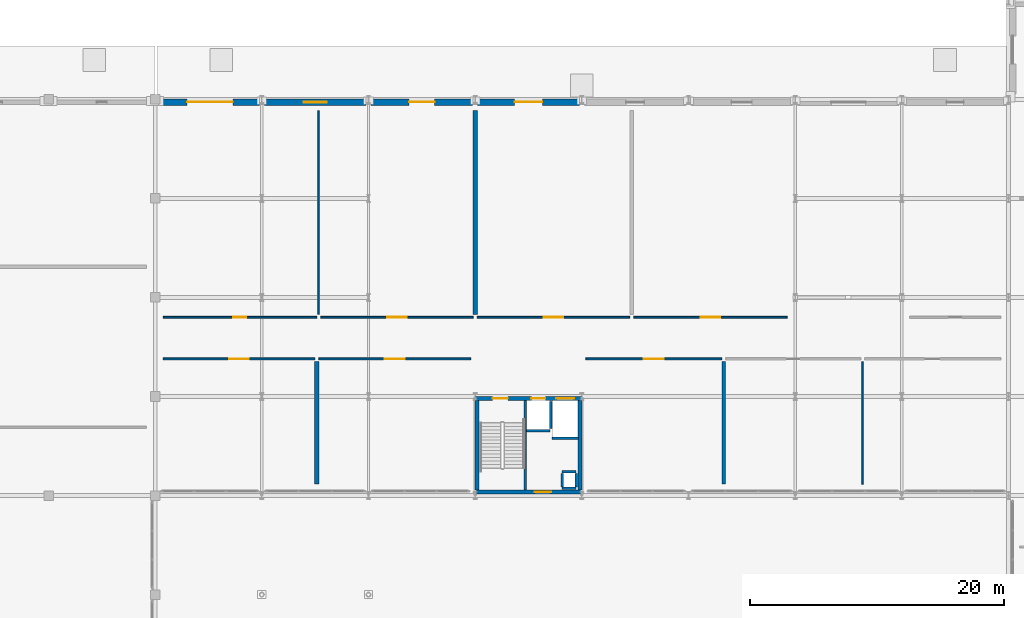
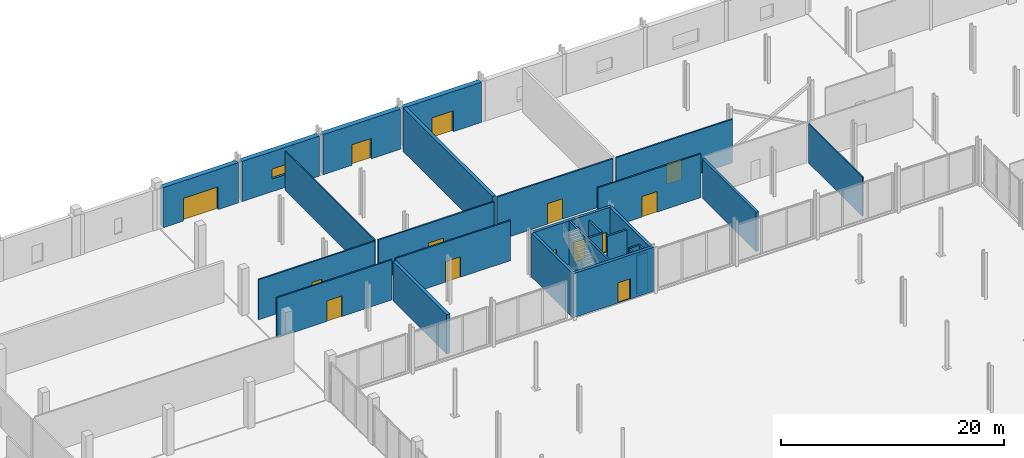
# One storey, part 52 of 80: 28 walls, 14 doors, 1 window, 15 openings.
"""IFC4 building model written with IfcOpenShell, lengths in metres."""

from ifc_helpers import new_model, si_unit, direction, frame, frame_2d, origin, place, context, subcontext, project, spatial, rectangle, extrude, material, layer, layer_set, type_object, element, fill, save


model = new_model("IFC4")

# Units and contexts
model_context = context("Model", 3, precision=1e-05, world=origin(), true_north=direction((0.0, 1.0)))
body_context = subcontext(model_context, "Body", "Model", "MODEL_VIEW")
ifc_project = project(units=[si_unit("LENGTHUNIT", "METRE"), si_unit("AREAUNIT", "SQUARE_METRE"), si_unit("VOLUMEUNIT", "CUBIC_METRE"), si_unit("PLANEANGLEUNIT", "RADIAN"), si_unit("MASSUNIT", "GRAM", prefix="KILO")], contexts=[model_context])

# Site, building, storey
site_placement = place(None, origin())
site = spatial("IfcSite", under=ifc_project, at=site_placement, CompositionType="ELEMENT")
building_placement = place(site_placement, origin())
building = spatial("IfcBuilding", under=site, at=building_placement, Name="Nabrawat Pavilion Hospital", CompositionType="ELEMENT")
storey_placement = place(building_placement, origin())
storey = spatial("IfcBuildingStorey", under=building, at=storey_placement, Name="L00", CompositionType="ELEMENT", Elevation=0.0)

# Wall, opening, door
ifc_material_1 = material(Name="Gypsum Fireboard on Steel Stud", Category="steel")
ifc_layer_1 = layer(ifc_material_1, 0.14990234375, Name="Gypsum Fireboard on Steel Stud")
ifc_layer_set_1 = layer_set([ifc_layer_1], Name="Gypsum Fireboard on Steel Stud")
wall_type_1 = type_object("IfcWallType", Name="Clinical Corridor Smoke-Barrier Wall 150", PredefinedType="PARTITIONING", material=ifc_layer_set_1)
wall_1_placement = place(storey_placement, frame((59.419921875, 96.56005859375, 0.0), z_axis=(0.0, 0.0, 1.0), x_axis=(1.0, 0.0, 0.0)))
wall_1 = element("IfcWall", 1, at=wall_1_placement, inside=storey, type_object=wall_type_1, Name="L00 Diagnostic Imaging 3T MRI Scanner Suite L00-01 Front Partition", PredefinedType="PARTITIONING", context=body_context, shape_type="SweptSolid", body=[
    extrude(rectangle(XDim=11.955078125, YDim=0.14990234375, at=frame_2d((5.9775390625, 0.0))), origin(), (0.0, 0.0, 1.0), 4.39990234375),
])
opening_1_placement = place(wall_1_placement, frame((5.202392578125, 0.0, 0.0)))
opening_1 = element("IfcOpeningElement", 2, at=opening_1_placement, cuts=wall_1, Name="Opening D-IMG", PredefinedType="OPENING", context=body_context, shape_type="SweptSolid", body=[
    extrude(rectangle(XDim=1.550048828125, YDim=2.25, at=frame_2d((0.77490234375, 1.125))), frame((0.0, 0.0849609375, 0.0), z_axis=(0.0, -1.0, 0.0), x_axis=(1.0, 0.0, 0.0)), (0.0, 0.0, 1.0), 0.169921875),
])
ifc_material_2 = material(Name="Stainless-Clad Acoustic Timber and Vision Glass", Category="wood")
door_type_1 = type_object("IfcDoorType", Name="Lead-Lined Radiology Shielded Door 1550x2250", OperationType="NOTDEFINED", PredefinedType="DOOR", material=ifc_material_2)
door_1_placement = place(opening_1_placement, origin())
door_1 = element("IfcDoor", 3, at=door_1_placement, inside=storey, type_object=door_type_1, Name="Diagnostic Imaging 3T MRI Scanner Suite L00-01 Door", OperationType="SINGLE_SWING_RIGHT", OverallHeight=2.25, OverallWidth=1.550048828125, PredefinedType="DOOR", context=body_context, shape_type="SweptSolid", body=[
    extrude(rectangle(XDim=1.550048828125, YDim=2.25, at=frame_2d((0.77490234375, 1.125))), frame((0.0, 0.02490234375, 0.0), z_axis=(0.0, -1.0, 0.0), x_axis=(1.0, 0.0, 0.0)), (0.0, 0.0, 1.0), 0.050048828125),
])
fill(opening_1, door_1)

wall_2_placement = place(storey_placement, frame((71.695068359375, 96.56005859375, 0.0), z_axis=(0.0, 0.0, 1.0), x_axis=(1.0, 0.0, 0.0)))
wall_2 = element("IfcWall", 4, at=wall_2_placement, inside=storey, type_object=wall_type_1, Name="L00 Diagnostic Imaging Dual-Source CT Room L00-02 Front Partition", PredefinedType="PARTITIONING", context=body_context, shape_type="SweptSolid", body=[
    extrude(rectangle(XDim=11.954833984375, YDim=0.14990234375, at=frame_2d((5.9775390625, 0.0))), origin(), (0.0, 0.0, 1.0), 4.39990234375),
])
opening_2_placement = place(wall_2_placement, frame((5.202392578125, 0.0, 0.0)))
opening_2 = element("IfcOpeningElement", 5, at=opening_2_placement, cuts=wall_2, Name="Opening D-IMG", PredefinedType="OPENING", context=body_context, shape_type="SweptSolid", body=[
    extrude(rectangle(XDim=1.550048828125, YDim=2.25, at=frame_2d((0.77490234375, 1.125))), frame((0.0, 0.0849609375, 0.0), z_axis=(0.0, -1.0, 0.0), x_axis=(1.0, 0.0, 0.0)), (0.0, 0.0, 1.0), 0.169921875),
])
door_2_placement = place(opening_2_placement, origin())
door_2 = element("IfcDoor", 6, at=door_2_placement, inside=storey, type_object=door_type_1, Name="Diagnostic Imaging Dual-Source CT Room L00-02 Door", OperationType="SINGLE_SWING_LEFT", OverallHeight=2.25, OverallWidth=1.550048828125, PredefinedType="DOOR", context=body_context, shape_type="SweptSolid", body=[
    extrude(rectangle(XDim=1.550048828125, YDim=2.25, at=frame_2d((0.77490234375, 1.125))), frame((0.0, 0.02490234375, 0.0), z_axis=(0.0, -1.0, 0.0), x_axis=(1.0, 0.0, 0.0)), (0.0, 0.0, 1.0), 0.050048828125),
])
fill(opening_2, door_2)

wall_3_placement = place(storey_placement, frame((92.719970703125, 96.56005859375, 0.0), z_axis=(0.0, 0.0, 1.0), x_axis=(1.0, 0.0, 0.0)))
wall_3 = element("IfcWall", 7, at=wall_3_placement, inside=storey, type_object=wall_type_1, Name="L00 Diagnostic Imaging PET-CT Nuclear Medicine Room L00-03 Front Partition", PredefinedType="PARTITIONING", context=body_context, shape_type="SweptSolid", body=[
    extrude(rectangle(XDim=10.699951171875, YDim=0.14990234375, at=frame_2d((5.35009765625, 0.0))), origin(), (0.0, 0.0, 1.0), 4.800048828125),
])
opening_3_placement = place(wall_3_placement, frame((4.574951171875, 0.0, 0.0)))
opening_3 = element("IfcOpeningElement", 8, at=opening_3_placement, cuts=wall_3, Name="Opening D-IMG", PredefinedType="OPENING", context=body_context, shape_type="SweptSolid", body=[
    extrude(rectangle(XDim=1.550048828125, YDim=2.25, at=frame_2d((0.77490234375, 1.125))), frame((0.0, 0.0849609375, 0.0), z_axis=(0.0, -1.0, 0.0), x_axis=(1.0, 0.0, 0.0)), (0.0, 0.0, 1.0), 0.169921875),
])
door_3_placement = place(opening_3_placement, origin())
door_3 = element("IfcDoor", 9, at=door_3_placement, inside=storey, type_object=door_type_1, Name="Diagnostic Imaging PET-CT Nuclear Medicine Room L00-03 Door", OperationType="SINGLE_SWING_RIGHT", OverallHeight=2.25, OverallWidth=1.550048828125, PredefinedType="DOOR", context=body_context, shape_type="SweptSolid", body=[
    extrude(rectangle(XDim=1.550048828125, YDim=2.25, at=frame_2d((0.77490234375, 1.125))), frame((0.0, 0.02490234375, 0.0), z_axis=(0.0, -1.0, 0.0), x_axis=(1.0, 0.0, 0.0)), (0.0, 0.0, 1.0), 0.050048828125),
])
fill(opening_3, door_3)

wall_4_placement = place(storey_placement, frame((59.419921875, 99.840087890625, 0.0), z_axis=(0.0, 0.0, 1.0), x_axis=(1.0, 0.0, 0.0)))
wall_4 = element("IfcWall", 10, at=wall_4_placement, inside=storey, type_object=wall_type_1, Name="L00 Bereavement Viewing and Cold Suite L00-06 Front Partition", PredefinedType="PARTITIONING", context=body_context, shape_type="SweptSolid", body=[
    extrude(rectangle(XDim=12.090087890625, YDim=0.14990234375, at=frame_2d((6.044921875, 0.0))), origin(), (0.0, 0.0, 1.0), 4.39990234375),
])
opening_4_placement = place(wall_4_placement, frame((5.52001953125, 0.0, 0.0)))
opening_4 = element("IfcOpeningElement", 11, at=opening_4_placement, cuts=wall_4, Name="Opening D-OPC-R", PredefinedType="OPENING", context=body_context, shape_type="SweptSolid", body=[
    extrude(rectangle(XDim=1.050048828125, YDim=2.14990234375, at=frame_2d((0.52490234375, 1.074951171875))), frame((0.0, 0.0849609375, 0.0), z_axis=(0.0, -1.0, 0.0), x_axis=(1.0, 0.0, 0.0)), (0.0, 0.0, 1.0), 0.169921875),
])
door_type_2 = type_object("IfcDoorType", Name="Outpatient Clinic Consultation Door R 1050x2150", OperationType="NOTDEFINED", PredefinedType="DOOR", material=ifc_material_2)
door_4_placement = place(opening_4_placement, origin())
door_4 = element("IfcDoor", 12, at=door_4_placement, inside=storey, type_object=door_type_2, Name="Bereavement Viewing and Cold Suite L00-06 Door", OperationType="SINGLE_SWING_LEFT", OverallHeight=2.14990234375, OverallWidth=1.050048828125, PredefinedType="DOOR", context=body_context, shape_type="SweptSolid", body=[
    extrude(rectangle(XDim=1.050048828125, YDim=2.14990234375, at=frame_2d((0.52490234375, 1.074951171875))), frame((0.0, 0.02490234375, 0.0), z_axis=(0.0, -1.0, 0.0), x_axis=(1.0, 0.0, 0.0)), (0.0, 0.0, 1.0), 0.050048828125),
])
fill(opening_4, door_4)

wall_5_placement = place(storey_placement, frame((71.830078125, 99.840087890625, 0.0), z_axis=(0.0, 0.0, 1.0), x_axis=(1.0, 0.0, 0.0)))
wall_5 = element("IfcWall", 13, at=wall_5_placement, inside=storey, type_object=wall_type_1, Name="L00 Diagnostic Imaging 3T MRI Scanner Suite L00-07 Front Partition", PredefinedType="PARTITIONING", context=body_context, shape_type="SweptSolid", body=[
    extrude(rectangle(XDim=12.010009765625, YDim=0.14990234375, at=frame_2d((6.0048828125, 0.0))), origin(), (0.0, 0.0, 1.0), 4.39990234375),
])
opening_5_placement = place(wall_5_placement, frame((5.22998046875, 0.0, 0.0)))
opening_5 = element("IfcOpeningElement", 14, at=opening_5_placement, cuts=wall_5, Name="Opening D-IMG", PredefinedType="OPENING", context=body_context, shape_type="SweptSolid", body=[
    extrude(rectangle(XDim=1.550048828125, YDim=2.25, at=frame_2d((0.77490234375, 1.125))), frame((0.0, 0.0849609375, 0.0), z_axis=(0.0, -1.0, 0.0), x_axis=(1.0, 0.0, 0.0)), (0.0, 0.0, 1.0), 0.169921875),
])
door_5_placement = place(opening_5_placement, origin())
door_5 = element("IfcDoor", 15, at=door_5_placement, inside=storey, type_object=door_type_1, Name="Diagnostic Imaging 3T MRI Scanner Suite L00-07 Door", OperationType="SINGLE_SWING_RIGHT", OverallHeight=2.25, OverallWidth=1.550048828125, PredefinedType="DOOR", context=body_context, shape_type="SweptSolid", body=[
    extrude(rectangle(XDim=1.550048828125, YDim=2.25, at=frame_2d((0.77490234375, 1.125))), frame((0.0, 0.02490234375, 0.0), z_axis=(0.0, -1.0, 0.0), x_axis=(1.0, 0.0, 0.0)), (0.0, 0.0, 1.0), 0.050048828125),
])
fill(opening_5, door_5)

wall_6_placement = place(storey_placement, frame((84.159912109375, 99.840087890625, 0.0), z_axis=(0.0, 0.0, 1.0), x_axis=(1.0, 0.0, 0.0)))
wall_6 = element("IfcWall", 16, at=wall_6_placement, inside=storey, type_object=wall_type_1, Name="L00 Diagnostic Imaging Dual-Source CT Room L00-08 Front Partition", PredefinedType="PARTITIONING", context=body_context, shape_type="SweptSolid", body=[
    extrude(rectangle(XDim=12.010009765625, YDim=0.14990234375, at=frame_2d((6.0048828125, 0.0))), origin(), (0.0, 0.0, 1.0), 4.800048828125),
])
opening_6_placement = place(wall_6_placement, frame((5.22998046875, 0.0, 0.0)))
opening_6 = element("IfcOpeningElement", 17, at=opening_6_placement, cuts=wall_6, Name="Opening D-IMG", PredefinedType="OPENING", context=body_context, shape_type="SweptSolid", body=[
    extrude(rectangle(XDim=1.550048828125, YDim=2.25, at=frame_2d((0.77490234375, 1.125))), frame((0.0, 0.0849609375, 0.0), z_axis=(0.0, -1.0, 0.0), x_axis=(1.0, 0.0, 0.0)), (0.0, 0.0, 1.0), 0.169921875),
])
door_6_placement = place(opening_6_placement, origin())
door_6 = element("IfcDoor", 18, at=door_6_placement, inside=storey, type_object=door_type_1, Name="Diagnostic Imaging Dual-Source CT Room L00-08 Door", OperationType="SINGLE_SWING_LEFT", OverallHeight=2.25, OverallWidth=1.550048828125, PredefinedType="DOOR", context=body_context, shape_type="SweptSolid", body=[
    extrude(rectangle(XDim=1.550048828125, YDim=2.25, at=frame_2d((0.77490234375, 1.125))), frame((0.0, 0.02490234375, 0.0), z_axis=(0.0, -1.0, 0.0), x_axis=(1.0, 0.0, 0.0)), (0.0, 0.0, 1.0), 0.050048828125),
])
fill(opening_6, door_6)

wall_7_placement = place(storey_placement, frame((96.489990234375, 99.840087890625, 0.0), z_axis=(0.0, 0.0, 1.0), x_axis=(1.0, 0.0, 0.0)))
wall_7 = element("IfcWall", 19, at=wall_7_placement, inside=storey, type_object=wall_type_1, Name="L00 Diagnostic Imaging PET-CT Nuclear Medicine Room L00-09 Front Partition", PredefinedType="PARTITIONING", context=body_context, shape_type="SweptSolid", body=[
    extrude(rectangle(XDim=12.090087890625, YDim=0.14990234375, at=frame_2d((6.044921875, 0.0))), origin(), (0.0, 0.0, 1.0), 4.800048828125),
])
opening_7_placement = place(wall_7_placement, frame((5.27001953125, 0.0, 0.0)))
opening_7 = element("IfcOpeningElement", 20, at=opening_7_placement, cuts=wall_7, Name="Opening D-IMG", PredefinedType="OPENING", context=body_context, shape_type="SweptSolid", body=[
    extrude(rectangle(XDim=1.550048828125, YDim=2.25, at=frame_2d((0.77490234375, 1.125))), frame((0.0, 0.0849609375, 0.0), z_axis=(0.0, -1.0, 0.0), x_axis=(1.0, 0.0, 0.0)), (0.0, 0.0, 1.0), 0.169921875),
])
door_7_placement = place(opening_7_placement, origin())
door_7 = element("IfcDoor", 21, at=door_7_placement, inside=storey, type_object=door_type_1, Name="Diagnostic Imaging PET-CT Nuclear Medicine Room L00-09 Door", OperationType="SINGLE_SWING_RIGHT", OverallHeight=2.25, OverallWidth=1.550048828125, PredefinedType="DOOR", context=body_context, shape_type="SweptSolid", body=[
    extrude(rectangle(XDim=1.550048828125, YDim=2.25, at=frame_2d((0.77490234375, 1.125))), frame((0.0, 0.02490234375, 0.0), z_axis=(0.0, -1.0, 0.0), x_axis=(1.0, 0.0, 0.0)), (0.0, 0.0, 1.0), 0.050048828125),
])
fill(opening_7, door_7)

# Walls
ifc_material_3 = material(Name="Barium Concrete Block", Category="concrete")
ifc_layer_2 = layer(ifc_material_3, 0.260009765625, Name="Barium Concrete Block")
ifc_layer_set_2 = layer_set([ifc_layer_2], Name="Barium Concrete Block")
wall_type_2 = type_object("IfcWallType", Name="Diagnostic X-Ray Barium-Plaster Wall 260", PredefinedType="PARTITIONING", material=ifc_layer_set_2)
wall_8_placement = place(storey_placement, frame((103.580078125, 86.68994140625, 0.0), z_axis=(0.0, 0.0, 1.0), x_axis=(0.0, 1.0, 0.0)))
element("IfcWall", 22, at=wall_8_placement, inside=storey, type_object=wall_type_2, Name="L00 Diagnostic Imaging PET-CT Nuclear Medicine Room L00-03 Dividing Partition", PredefinedType="PARTITIONING", context=body_context, shape_type="SweptSolid", body=[
    extrude(rectangle(XDim=9.650146484375, YDim=0.260009765625, at=frame_2d((4.8251953125, 0.0))), origin(), (0.0, 0.0, 1.0), 4.31005859375),
])
ifc_material_4 = material(Name="Concrete C35/45", Category="concrete")
ifc_layer_3 = layer(ifc_material_4, 0.199951171875, Name="Concrete C35/45")
ifc_layer_set_3 = layer_set([ifc_layer_3], Name="Concrete C35/45")
wall_type_3 = type_object("IfcWallType", Name="Lift and Riser Fire Shaft Wall 200", PredefinedType="PARTITIONING", material=ifc_layer_set_3)
wall_9_placement = place(storey_placement, frame((87.949951171875, 86.239990234375, 0.0), z_axis=(0.0, 0.0, 1.0), x_axis=(0.0, 1.0, 0.0)))
element("IfcWall", 23, at=wall_9_placement, inside=storey, type_object=wall_type_3, Name="L00 CORE-3 Stair-Lift Dividing Shear Wall", PredefinedType="SHEAR", context=body_context, shape_type="SweptSolid", body=[
    extrude(rectangle(XDim=7.0400390625, YDim=0.199951171875, at=frame_2d((3.52001953125, 0.0))), origin(), (0.0, 0.0, 1.0), 4.820068359375),
])
for number, where, z_axis, x_axis, name in (
    (24, (90.85009765625, 86.3701171875, 0.0), (0.0, 0.0, 1.0), (1.0, 0.0, 0.0), "L00 CORE-3 MEP Riser Shaft Wall S"),
    (25, (90.85009765625, 87.669921875, 0.0), (0.0, 0.0, 1.0), (1.0, 0.0, 0.0), "L00 CORE-3 MEP Riser Shaft Wall N"),
):
    element("IfcWall", number, at=place(storey_placement, frame(where, z_axis=z_axis, x_axis=x_axis)), inside=storey, type_object=wall_type_3, Name=name, PredefinedType="PARTITIONING", context=body_context, shape_type="SweptSolid", body=[
        extrude(rectangle(XDim=1.099853515625, YDim=0.199951171875, at=frame_2d((0.5498046875, 0.0))), origin(), (0.0, 0.0, 1.0), 4.2099609375),
    ])
for number, where, z_axis, x_axis, name in (
    (26, (90.85009765625, 86.489990234375, 0.0), (0.0, 0.0, 1.0), (0.0, 1.0, 0.0), "L00 CORE-3 MEP Riser Shaft Wall W"),
    (27, (91.949951171875, 86.489990234375, 0.0), (0.0, 0.0, 1.0), (0.0, 1.0, 0.0), "L00 CORE-3 MEP Riser Shaft Wall E"),
):
    element("IfcWall", number, at=place(storey_placement, frame(where, z_axis=z_axis, x_axis=x_axis)), inside=storey, type_object=wall_type_3, Name=name, PredefinedType="PARTITIONING", context=body_context, shape_type="SweptSolid", body=[
        extrude(rectangle(XDim=1.06005859375, YDim=0.199951171875, at=frame_2d((0.530029296875, 0.0))), origin(), (0.0, 0.0, 1.0), 4.2099609375),
    ])
wall_10_placement = place(storey_placement, frame((89.93994140625, 91.080078125, 0.0), z_axis=(0.0, 0.0, 1.0), x_axis=(0.0, 1.0, 0.0)))
element("IfcWall", 28, at=wall_10_placement, inside=storey, type_object=wall_type_3, Name="L00 Lift LP-02 Shaft East Wall", PredefinedType="PARTITIONING", context=body_context, shape_type="SweptSolid", body=[
    extrude(rectangle(XDim=2.139892578125, YDim=0.199951171875, at=frame_2d((1.06982421875, 0.0))), origin(), (0.0, 0.0, 1.0), 4.2099609375),
])
wall_11_placement = place(storey_placement, frame((88.050048828125, 90.919921875, 0.0), z_axis=(0.0, 0.0, 1.0), x_axis=(1.0, 0.0, 0.0)))
element("IfcWall", 29, at=wall_11_placement, inside=storey, type_object=wall_type_3, Name="L00 Lift LP-02 Shaft Back Wall", PredefinedType="PARTITIONING", context=body_context, shape_type="SweptSolid", body=[
    extrude(rectangle(XDim=1.85986328125, YDim=0.199951171875, at=frame_2d((0.929931640625, 0.0))), origin(), (0.0, 0.0, 1.0), 4.2099609375),
])
wall_12_placement = place(storey_placement, frame((90.070068359375, 90.320068359375, 0.0), z_axis=(0.0, 0.0, 1.0), x_axis=(1.0, 0.0, 0.0)))
element("IfcWall", 30, at=wall_12_placement, inside=storey, type_object=wall_type_3, Name="L00 Lift LB-02 Shaft Back Wall", PredefinedType="PARTITIONING", context=body_context, shape_type="SweptSolid", body=[
    extrude(rectangle(XDim=2.059814453125, YDim=0.199951171875, at=frame_2d((1.02978515625, 0.0))), origin(), (0.0, 0.0, 1.0), 4.2099609375),
])
ifc_material_5 = material(Name="Acoustic Concrete Block", Category="concrete")
ifc_layer_4 = layer(ifc_material_5, 0.340087890625, Name="Acoustic Concrete Block")
ifc_layer_set_4 = layer_set([ifc_layer_4], Name="Acoustic Concrete Block")
wall_type_4 = type_object("IfcWallType", Name="MRI RF-Faraday Acoustic Enclosure Wall 340", PredefinedType="PARTITIONING", material=ifc_layer_set_4)
wall_13_placement = place(storey_placement, frame((71.534912109375, 86.68994140625, 0.0), z_axis=(0.0, 0.0, 1.0), x_axis=(0.0, 1.0, 0.0)))
element("IfcWall", 31, at=wall_13_placement, inside=storey, type_object=wall_type_4, Name="L00 Diagnostic Imaging 3T MRI Scanner Suite L00-01 Dividing Partition", PredefinedType="PARTITIONING", context=body_context, shape_type="SweptSolid", body=[
    extrude(rectangle(XDim=9.650146484375, YDim=0.340087890625, at=frame_2d((4.8251953125, 0.0))), origin(), (0.0, 0.0, 1.0), 4.31005859375),
])
wall_14_placement = place(storey_placement, frame((84.0, 100.06005859375, 0.0), z_axis=(0.0, 0.0, 1.0), x_axis=(0.0, 1.0, 0.0)))
element("IfcWall", 32, at=wall_14_placement, inside=storey, type_object=wall_type_4, Name="L00 Diagnostic Imaging 3T MRI Scanner Suite L00-07 Dividing Partition", PredefinedType="PARTITIONING", context=body_context, shape_type="SweptSolid", body=[
    extrude(rectangle(XDim=16.050048828125, YDim=0.340087890625, at=frame_2d((8.02490234375, 0.0))), origin(), (0.0, 0.0, 1.0), 4.800048828125),
])
ifc_material_6 = material(Name="Gypsum Plasterboard on Stud", Category="gypsum")
ifc_layer_5 = layer(ifc_material_6, 0.1201171875, Name="Gypsum Plasterboard on Stud")
ifc_layer_set_5 = layer_set([ifc_layer_5], Name="Gypsum Plasterboard on Stud")
wall_type_5 = type_object("IfcWallType", Name="Outpatient Consultation Partition 120", PredefinedType="PARTITIONING", material=ifc_layer_set_5)
wall_15_placement = place(storey_placement, frame((114.52001953125, 86.68994140625, 0.0), z_axis=(0.0, 0.0, 1.0), x_axis=(0.0, 1.0, 0.0)))
element("IfcWall", 33, at=wall_15_placement, inside=storey, type_object=wall_type_5, Name="L00 Radiology Reporting Control Room L00-04 Dividing Partition", PredefinedType="PARTITIONING", context=body_context, shape_type="SweptSolid", body=[
    extrude(rectangle(XDim=9.650146484375, YDim=0.1201171875, at=frame_2d((4.8251953125, 0.0))), origin(), (0.0, 0.0, 1.0), 4.31005859375),
])
wall_16_placement = place(storey_placement, frame((71.669921875, 100.06005859375, 0.0), z_axis=(0.0, 0.0, 1.0), x_axis=(0.0, 1.0, 0.0)))
element("IfcWall", 34, at=wall_16_placement, inside=storey, type_object=wall_type_5, Name="L00 Bereavement Viewing and Cold Suite L00-06 Dividing Partition", PredefinedType="PARTITIONING", context=body_context, shape_type="SweptSolid", body=[
    extrude(rectangle(XDim=16.050048828125, YDim=0.1201171875, at=frame_2d((8.02490234375, 0.0))), origin(), (0.0, 0.0, 1.0), 4.31005859375),
])

# Wall, opening, door
ifc_material_7 = material(Name="Precast concrete C40/50", Category="concrete")
ifc_layer_6 = layer(ifc_material_7, 0.5, Name="Precast concrete C40/50")
ifc_layer_set_6 = layer_set([ifc_layer_6], Name="Precast concrete C40/50")
wall_type_6 = type_object("IfcWallType", Name="Radiation Bunker Exterior Wall 500", PredefinedType="SOLIDWALL", material=ifc_layer_set_6)
wall_17_placement = place(storey_placement, frame((59.22509765625, 116.780029296875, 0.0), z_axis=(0.0, 0.0, 1.0), x_axis=(1.0, 0.0, 0.0)))
wall_17 = element("IfcWall", 35, at=wall_17_placement, inside=storey, type_object=wall_type_6, Name="L00 Radiation Bunker Exterior Wall 500 126", PredefinedType="SOLIDWALL", context=body_context, shape_type="SweptSolid", body=[
    extrude(rectangle(XDim=7.77490234375, YDim=0.5, at=frame_2d((3.887451171875, 0.0))), origin(), (0.0, 0.0, 1.0), 4.39990234375),
])
opening_8_placement = place(wall_17_placement, frame((2.08740234375, 0.0, 0.0)))
opening_8 = element("IfcOpeningElement", 36, at=opening_8_placement, cuts=wall_17, Name="Opening VG-SVC-360", PredefinedType="OPENING", context=body_context, shape_type="SweptSolid", body=[
    extrude(rectangle(XDim=3.60009765625, YDim=2.5, at=frame_2d((1.800048828125, 1.25))), frame((0.0, 0.260009765625, 0.0), z_axis=(0.0, -1.0, 0.0), x_axis=(1.0, 0.0, 0.0)), (0.0, 0.0, 1.0), 0.52001953125),
])
ifc_material_8 = material(Name="Powder-Coated Galvanised Steel and Safety Glass", Category="steel")
door_type_3 = type_object("IfcDoorType", Name="Service Yard Security Gate 3600x2500", OperationType="NOTDEFINED", PredefinedType="GATE", material=ifc_material_8)
door_8_placement = place(opening_8_placement, origin())
door_8 = element("IfcDoor", 37, at=door_8_placement, inside=storey, type_object=door_type_3, Name="L00 Perimeter Final Exit Door 15", OperationType="DOUBLE_SWING_LEFT", OverallHeight=2.5, OverallWidth=3.60009765625, PredefinedType="GATE", context=body_context, shape_type="SweptSolid", body=[
    extrude(rectangle(XDim=3.60009765625, YDim=2.5, at=frame_2d((1.800048828125, 1.25))), frame((0.0, 0.02490234375, 0.0), z_axis=(0.0, -1.0, 0.0), x_axis=(1.0, 0.0, 0.0)), (0.0, 0.0, 1.0), 0.050048828125),
])
fill(opening_8, door_8)

# Wall, opening, window
wall_18_placement = place(storey_placement, frame((67.39990234375, 116.780029296875, 0.0), z_axis=(0.0, 0.0, 1.0), x_axis=(1.0, 0.0, 0.0)))
wall_18 = element("IfcWall", 38, at=wall_18_placement, inside=storey, type_object=wall_type_6, Name="L00 Radiation Bunker Exterior Wall 500 127", PredefinedType="SOLIDWALL", context=body_context, shape_type="SweptSolid", body=[
    extrude(rectangle(XDim=8.0, YDim=0.5, at=frame_2d((4.0, 0.0))), origin(), (0.0, 0.0, 1.0), 4.39990234375),
])
opening_9_placement = place(wall_18_placement, frame((3.10009765625, 0.0, 1.39990234375)))
opening_9 = element("IfcOpeningElement", 39, at=opening_9_placement, cuts=wall_18, Name="Opening WN-06", PredefinedType="OPENING", context=body_context, shape_type="SweptSolid", body=[
    extrude(rectangle(XDim=1.800048828125, YDim=1.10009765625, at=frame_2d((0.89990234375, 0.550048828125))), frame((0.0, 0.260009765625, 0.0), z_axis=(0.0, -1.0, 0.0), x_axis=(1.0, 0.0, 0.0)), (0.0, 0.0, 1.0), 0.52001953125),
])
ifc_material_9 = material(Name="Thermally Broken Aluminium and Solar Glass", Category="aluminium")
window_type = type_object("IfcWindowType", Name="Emergency Cubicle Clerestory Window 1800x1100", PartitioningType="SINGLE_PANEL", PredefinedType="WINDOW", material=ifc_material_9)
window_placement = place(opening_9_placement, origin())
window = element("IfcWindow", 40, at=window_placement, inside=storey, type_object=window_type, Name="L00 Emergency Cubicle Clerestory Window 1800x1100 038", OverallHeight=1.10009765625, OverallWidth=1.800048828125, PartitioningType="SINGLE_PANEL", PredefinedType="WINDOW", context=body_context, shape_type="SweptSolid", body=[
    extrude(rectangle(XDim=1.800048828125, YDim=1.10009765625, at=frame_2d((0.89990234375, 0.550048828125))), frame((0.0, 0.030029296875, 0.0), z_axis=(0.0, -1.0, 0.0), x_axis=(1.0, 0.0, 0.0)), (0.0, 0.0, 1.0), 0.06005859375),
])
fill(opening_9, window)

# Wall, opening, door
wall_19_placement = place(storey_placement, frame((75.800048828125, 116.780029296875, 0.0), z_axis=(0.0, 0.0, 1.0), x_axis=(1.0, 0.0, 0.0)))
wall_19 = element("IfcWall", 41, at=wall_19_placement, inside=storey, type_object=wall_type_6, Name="L00 Radiation Bunker Exterior Wall 500 128", PredefinedType="SOLIDWALL", context=body_context, shape_type="SweptSolid", body=[
    extrude(rectangle(XDim=8.0, YDim=0.5, at=frame_2d((4.0, 0.0))), origin(), (0.0, 0.0, 1.0), 4.39990234375),
])
opening_10_placement = place(wall_19_placement, frame((3.0, 0.0, 0.0)))
opening_10 = element("IfcOpeningElement", 42, at=opening_10_placement, cuts=wall_19, Name="Opening ED-EXIT-200", PredefinedType="OPENING", context=body_context, shape_type="SweptSolid", body=[
    extrude(rectangle(XDim=2.0, YDim=2.25, at=frame_2d((1.0, 1.125))), frame((0.0, 0.260009765625, 0.0), z_axis=(0.0, -1.0, 0.0), x_axis=(1.0, 0.0, 0.0)), (0.0, 0.0, 1.0), 0.52001953125),
])
door_type_4 = type_object("IfcDoorType", Name="Secondary Final-Exit Double Door 2000x2250", OperationType="NOTDEFINED", PredefinedType="DOOR", material=ifc_material_8)
door_9_placement = place(opening_10_placement, origin())
door_9 = element("IfcDoor", 43, at=door_9_placement, inside=storey, type_object=door_type_4, Name="L00 Perimeter Final Exit Door 16", OperationType="DOUBLE_DOOR_SINGLE_SWING", OverallHeight=2.25, OverallWidth=2.0, PredefinedType="DOOR", context=body_context, shape_type="SweptSolid", body=[
    extrude(rectangle(XDim=2.0, YDim=2.25, at=frame_2d((1.0, 1.125))), frame((0.0, 0.02490234375, 0.0), z_axis=(0.0, -1.0, 0.0), x_axis=(1.0, 0.0, 0.0)), (0.0, 0.0, 1.0), 0.050048828125),
])
fill(opening_10, door_9)

wall_20_placement = place(storey_placement, frame((84.199951171875, 116.780029296875, 0.0), z_axis=(0.0, 0.0, 1.0), x_axis=(1.0, 0.0, 0.0)))
wall_20 = element("IfcWall", 44, at=wall_20_placement, inside=storey, type_object=wall_type_6, Name="L00 Radiation Bunker Exterior Wall 500 129", PredefinedType="SOLIDWALL", context=body_context, shape_type="SweptSolid", body=[
    extrude(rectangle(XDim=8.0, YDim=0.5, at=frame_2d((4.0, 0.0))), origin(), (0.0, 0.0, 1.0), 4.409912109375),
])
opening_11_placement = place(wall_20_placement, frame((2.89990234375, 0.0, 0.0)))
opening_11 = element("IfcOpeningElement", 45, at=opening_11_placement, cuts=wall_20, Name="Opening ED-EXIT-220", PredefinedType="OPENING", context=body_context, shape_type="SweptSolid", body=[
    extrude(rectangle(XDim=2.199951171875, YDim=2.300048828125, at=frame_2d((1.10009765625, 1.14990234375))), frame((0.0, 0.260009765625, 0.0), z_axis=(0.0, -1.0, 0.0), x_axis=(1.0, 0.0, 0.0)), (0.0, 0.0, 1.0), 0.52001953125),
])
door_type_5 = type_object("IfcDoorType", Name="Perimeter Double Final-Exit Door 2200x2300", OperationType="NOTDEFINED", PredefinedType="DOOR", material=ifc_material_8)
door_10_placement = place(opening_11_placement, origin())
door_10 = element("IfcDoor", 46, at=door_10_placement, inside=storey, type_object=door_type_5, Name="L00 Perimeter Final Exit Door 17", OperationType="DOUBLE_DOOR_SINGLE_SWING", OverallHeight=2.300048828125, OverallWidth=2.199951171875, PredefinedType="DOOR", context=body_context, shape_type="SweptSolid", body=[
    extrude(rectangle(XDim=2.199951171875, YDim=2.300048828125, at=frame_2d((1.10009765625, 1.14990234375))), frame((0.0, 0.02490234375, 0.0), z_axis=(0.0, -1.0, 0.0), x_axis=(1.0, 0.0, 0.0)), (0.0, 0.0, 1.0), 0.050048828125),
])
fill(opening_11, door_10)

ifc_material_10 = material(Name="Concrete C40/50", Category="concrete")
ifc_layer_7 = layer(ifc_material_10, 0.300048828125, Name="Concrete C40/50")
ifc_layer_set_7 = layer_set([ifc_layer_7], Name="Concrete C40/50")
wall_type_7 = type_object("IfcWallType", Name="Reinforced Concrete Core Shear Wall 300", PredefinedType="SHEAR", material=ifc_layer_set_7)
wall_21_placement = place(storey_placement, frame((84.0, 86.070068359375, 0.0), z_axis=(0.0, 0.0, 1.0), x_axis=(1.0, 0.0, 0.0)))
wall_21 = element("IfcWall", 47, at=wall_21_placement, inside=storey, type_object=wall_type_7, Name="L00 CORE-3 South Core Shear Wall", PredefinedType="SHEAR", context=body_context, shape_type="SweptSolid", body=[
    extrude(rectangle(XDim=8.39990234375, YDim=0.300048828125, at=frame_2d((4.199951171875, 0.0))), origin(), (0.0, 0.0, 1.0), 4.820068359375),
])
opening_12_placement = place(wall_21_placement, frame((4.679931640625, 0.0, 0.0)))
opening_12 = element("IfcOpeningElement", 48, at=opening_12_placement, cuts=wall_21, Name="Opening ED-EXIT-130", PredefinedType="OPENING", context=body_context, shape_type="SweptSolid", body=[
    extrude(rectangle(XDim=1.300048828125, YDim=2.199951171875, at=frame_2d((0.64990234375, 1.10009765625))), frame((0.0, 0.16015625, 0.0), z_axis=(0.0, -1.0, 0.0), x_axis=(1.0, 0.0, 0.0)), (0.0, 0.0, 1.0), 0.320068359375),
])
door_type_6 = type_object("IfcDoorType", Name="Protected Stair Direct Final-Exit Door 1300x2200", OperationType="NOTDEFINED", PredefinedType="DOOR", material=ifc_material_8)
door_11_placement = place(opening_12_placement, frame((1.300048828125, 0.0, 0.0), z_axis=(0.0, 0.0, 1.0), x_axis=(-1.0, 0.0, 0.0)))
door_11 = element("IfcDoor", 49, at=door_11_placement, inside=storey, type_object=door_type_6, Name="L00 ST-03 Direct Courtyard Final Exit Door", OperationType="SINGLE_SWING_LEFT", OverallHeight=2.199951171875, OverallWidth=1.300048828125, PredefinedType="DOOR", context=body_context, shape_type="SweptSolid", body=[
    extrude(rectangle(XDim=1.300048828125, YDim=2.199951171875, at=frame_2d((0.64990234375, 1.10009765625))), frame((0.0, 0.02490234375, 0.0), z_axis=(0.0, -1.0, 0.0), x_axis=(1.0, 0.0, 0.0)), (0.0, 0.0, 1.0), 0.050048828125),
])
fill(opening_12, door_11)

# Wall, openings, doors
wall_22_placement = place(storey_placement, frame((84.0, 93.449951171875, 0.0), z_axis=(0.0, 0.0, 1.0), x_axis=(1.0, 0.0, 0.0)))
wall_22 = element("IfcWall", 50, at=wall_22_placement, inside=storey, type_object=wall_type_7, Name="L00 CORE-3 North Core Shear Wall", PredefinedType="SHEAR", context=body_context, shape_type="SweptSolid", body=[
    extrude(rectangle(XDim=8.39990234375, YDim=0.300048828125, at=frame_2d((4.199951171875, 0.0))), origin(), (0.0, 0.0, 1.0), 4.820068359375),
])
opening_13_placement = place(wall_22_placement, frame((1.3798828125, 0.0, 0.0)))
opening_13 = element("IfcOpeningElement", 51, at=opening_13_placement, cuts=wall_22, Name="Opening D-STAIR", PredefinedType="OPENING", context=body_context, shape_type="SweptSolid", body=[
    extrude(rectangle(XDim=1.199951171875, YDim=2.14990234375, at=frame_2d((0.60009765625, 1.074951171875))), frame((0.0, 0.16015625, 0.0), z_axis=(0.0, -1.0, 0.0), x_axis=(1.0, 0.0, 0.0)), (0.0, 0.0, 1.0), 0.320068359375),
])
opening_14_placement = place(wall_22_placement, frame((4.429931640625, 0.0, 0.0)))
opening_14 = element("IfcOpeningElement", 52, at=opening_14_placement, cuts=wall_22, Name="Opening LD-LP-02", PredefinedType="OPENING", context=body_context, shape_type="SweptSolid", body=[
    extrude(rectangle(XDim=1.10009765625, YDim=2.14990234375, at=frame_2d((0.550048828125, 1.074951171875))), frame((0.0, 0.16015625, 0.0), z_axis=(0.0, -1.0, 0.0), x_axis=(1.0, 0.0, 0.0)), (0.0, 0.0, 1.0), 0.320068359375),
])
opening_15_placement = place(wall_22_placement, frame((6.39990234375, 0.0, 0.0)))
opening_15 = element("IfcOpeningElement", 53, at=opening_15_placement, cuts=wall_22, Name="Opening LD-LB-02", PredefinedType="OPENING", context=body_context, shape_type="SweptSolid", body=[
    extrude(rectangle(XDim=1.39990234375, YDim=2.199951171875, at=frame_2d((0.699951171875, 1.10009765625))), frame((0.0, 0.16015625, 0.0), z_axis=(0.0, -1.0, 0.0), x_axis=(1.0, 0.0, 0.0)), (0.0, 0.0, 1.0), 0.320068359375),
])
door_type_7 = type_object("IfcDoorType", Name="D-STAIR Exit Stair Fire Door 1200x2150", OperationType="NOTDEFINED", PredefinedType="DOOR", material=ifc_material_2)
door_12_placement = place(opening_13_placement, origin())
door_12 = element("IfcDoor", 54, at=door_12_placement, inside=storey, type_object=door_type_7, Name="L00 ST-03 Fire Exit Stair Door", OperationType="SINGLE_SWING_RIGHT", OverallHeight=2.14990234375, OverallWidth=1.199951171875, PredefinedType="DOOR", context=body_context, shape_type="SweptSolid", body=[
    extrude(rectangle(XDim=1.199951171875, YDim=2.14990234375, at=frame_2d((0.60009765625, 1.074951171875))), frame((0.0, 0.02490234375, 0.0), z_axis=(0.0, -1.0, 0.0), x_axis=(1.0, 0.0, 0.0)), (0.0, 0.0, 1.0), 0.050048828125),
])
fill(opening_13, door_12)
door_type_8 = type_object("IfcDoorType", Name="Hospital Bed Lift Sliding Landing Door 1400x2200", OperationType="DOUBLE_DOOR_SLIDING", PredefinedType="DOOR", material=ifc_material_2)
door_13_placement = place(opening_15_placement, origin())
door_13 = element("IfcDoor", 55, at=door_13_placement, inside=storey, type_object=door_type_8, Name="L00 Lift LB-02 Sliding Landing Door", OperationType="DOUBLE_DOOR_SLIDING", OverallHeight=2.199951171875, OverallWidth=1.39990234375, PredefinedType="DOOR", context=body_context, shape_type="SweptSolid", body=[
    extrude(rectangle(XDim=1.39990234375, YDim=2.199951171875, at=frame_2d((0.699951171875, 1.10009765625))), frame((0.0, 0.02490234375, 0.0), z_axis=(0.0, -1.0, 0.0), x_axis=(1.0, 0.0, 0.0)), (0.0, 0.0, 1.0), 0.050048828125),
])
fill(opening_15, door_13)
door_type_9 = type_object("IfcDoorType", Name="Passenger Lift Sliding Landing Door 1100x2150", OperationType="DOUBLE_DOOR_SLIDING", PredefinedType="DOOR", material=ifc_material_2)
door_14_placement = place(opening_14_placement, origin())
door_14 = element("IfcDoor", 56, at=door_14_placement, inside=storey, type_object=door_type_9, Name="L00 Lift LP-02 Sliding Landing Door", OperationType="DOUBLE_DOOR_SLIDING", OverallHeight=2.14990234375, OverallWidth=1.10009765625, PredefinedType="DOOR", context=body_context, shape_type="SweptSolid", body=[
    extrude(rectangle(XDim=1.10009765625, YDim=2.14990234375, at=frame_2d((0.550048828125, 1.074951171875))), frame((0.0, 0.02490234375, 0.0), z_axis=(0.0, -1.0, 0.0), x_axis=(1.0, 0.0, 0.0)), (0.0, 0.0, 1.0), 0.050048828125),
])
fill(opening_14, door_14)

# Walls
for number, where, z_axis, x_axis, name in (
    (57, (84.14990234375, 86.219970703125, 0.0), (0.0, 0.0, 1.0), (0.0, 1.0, 0.0), "L00 CORE-3 West Core Shear Wall"),
    (58, (92.25, 86.219970703125, 0.0), (0.0, 0.0, 1.0), (0.0, 1.0, 0.0), "L00 CORE-3 East Core Shear Wall"),
):
    element("IfcWall", number, at=place(storey_placement, frame(where, z_axis=z_axis, x_axis=x_axis)), inside=storey, type_object=wall_type_7, Name=name, PredefinedType="SHEAR", context=body_context, shape_type="SweptSolid", body=[
        extrude(rectangle(XDim=7.080078125, YDim=0.300048828125, at=frame_2d((3.5400390625, 0.0))), origin(), (0.0, 0.0, 1.0), 4.820068359375),
    ])

save(model, "model.ifc")
